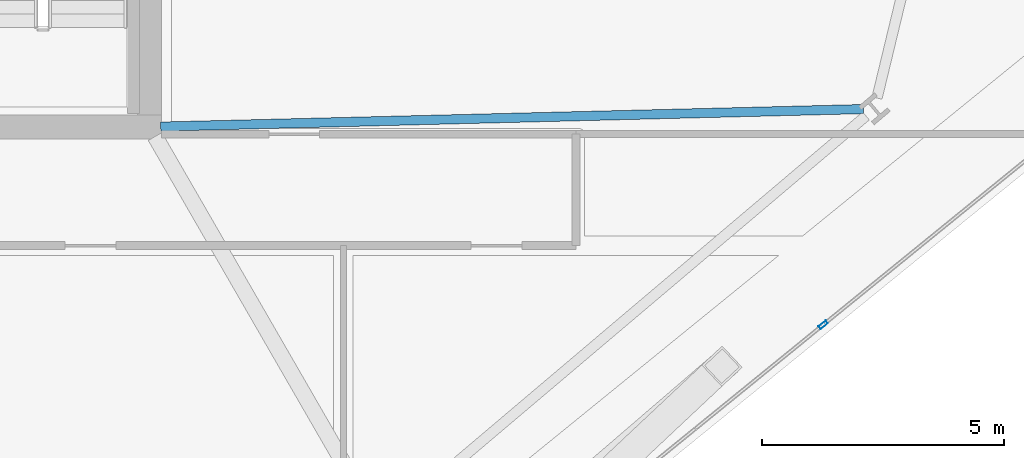
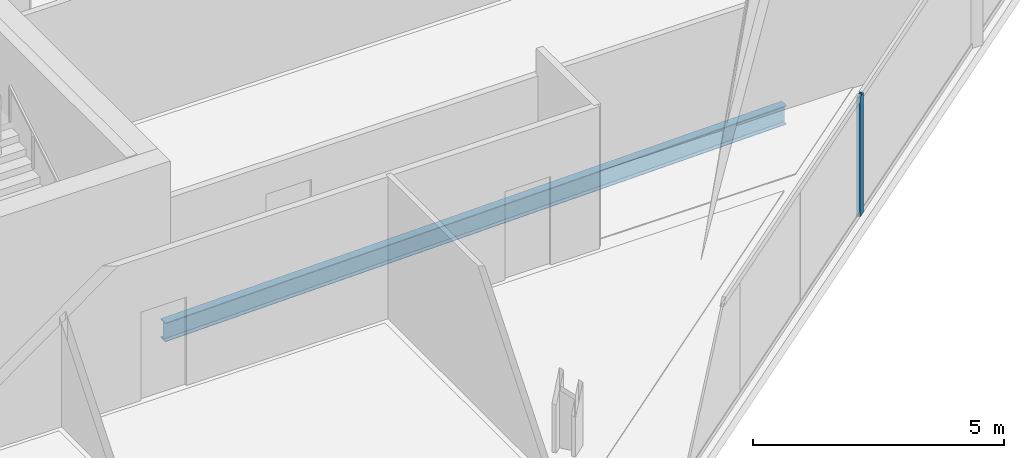
# One storey, part 10 of 36: 1 beam, 1 member, 1 element without a shape of its own.
"""IFC4 building model written with IfcOpenShell, lengths in metres."""

from ifc_helpers import new_model, si_unit, direction, frame, origin, origin_2d, place, context, subcontext, project, spatial, hollow_rectangle, i_section, extrude, material, material_profile, profile_set, type_object, element, aggregate, save


model = new_model("IFC4")

# Units and contexts
model_context = context("Model", 3, precision=1e-05, world=origin(), true_north=direction((0.0, 1.0)))
body_context = subcontext(model_context, "Body", "Model", "MODEL_VIEW")
ifc_project = project(units=[si_unit("LENGTHUNIT", "METRE"), si_unit("AREAUNIT", "SQUARE_METRE"), si_unit("VOLUMEUNIT", "CUBIC_METRE"), si_unit("PLANEANGLEUNIT", "RADIAN"), si_unit("MASSUNIT", "GRAM", prefix="KILO")], contexts=[model_context])

# Site, building, storey
site_placement = place(None, origin())
site = spatial("IfcSite", under=ifc_project, at=site_placement, CompositionType="ELEMENT")
building_placement = place(site_placement, origin())
building = spatial("IfcBuilding", under=site, at=building_placement, Name="Haldenkirk Collegiate Tower", CompositionType="ELEMENT")
storey_placement = place(building_placement, frame((0.0, 0.0, 159.449951171875)))
storey = spatial("IfcBuildingStorey", under=building, at=storey_placement, Name="L39", CompositionType="ELEMENT", Elevation=159.449951171875)

# Beam
ifc_material_1 = material(Name="Steel ASTM A992 Grade 50", Category="steel")
ifc_material_profile_1 = material_profile(ifc_material_1, i_section(OverallWidth=0.18994140625, OverallDepth=0.45703125, WebThickness=0.009033203125, FlangeThickness=0.014404296875, at=origin_2d()), Name="W18X50")
ifc_profile_set_1 = profile_set([ifc_material_profile_1], Name="Steel ASTM A992 Grade 50")
beam_type = type_object("IfcBeamType", Name="BM-JOIST-W18X50", PredefinedType="JOIST", material=ifc_profile_set_1)
beam_placement = place(storey_placement, frame((59.727294921875, 18.3671875, -0.5185546875), z_axis=(-0.999689127321, -0.024932884215, 0.0), x_axis=(0.024932884215, -0.999689127321, 0.0)))
element("IfcBeam", 1, at=beam_placement, inside=storey, type_object=beam_type, Name="L39 composite floor joist 07", PredefinedType="JOIST", context=body_context, shape_type="SweptSolid", body=[
    extrude(i_section(OverallWidth=0.18994140625, OverallDepth=0.45703125, WebThickness=0.009033203125, FlangeThickness=0.014404296875, at=origin_2d()), origin(), (0.0, 0.0, 1.0), 14.501708984375),
])

# Curtain wall, member
ifc_material_2 = material(Name="Anodised architectural bronze aluminium", Category="aluminium")
curtain_wall_type = type_object("IfcCurtainWallType", Name="CW-SYS2-CONCAVE", PredefinedType="USERDEFINED", material=ifc_material_2)
curtain_wall_placement = place(storey_placement, origin())
curtain_wall = element("IfcCurtainWall", 2, at=curtain_wall_placement, inside=storey, type_object=curtain_wall_type, Name="L39 South concave recessed bronze-anodised curtain wall", ObjectType="UNITISED CURTAIN WALL", PredefinedType="USERDEFINED")
ifc_material_profile_2 = material_profile(ifc_material_2, hollow_rectangle(XDim=0.074951171875, YDim=0.18994140625, WallThickness=0.0048828125, at=origin_2d()), Name="CW-MUL-02")
ifc_profile_set_2 = profile_set([ifc_material_profile_2], Name="Anodised architectural bronze aluminium")
member_type = type_object("IfcMemberType", Name="CW-MUL-02", PredefinedType="MULLION", material=ifc_profile_set_2)
member_placement = place(storey_placement, frame((58.899658203125, 13.916015625, 0.0), z_axis=(0.0, 0.0, 1.0), x_axis=(0.630673850131, -0.776047997717, 0.0)))
member = element("IfcMember", 3, at=member_placement, type_object=member_type, Name="CW-02 mullion 2", PredefinedType="MULLION", context=body_context, shape_type="SweptSolid", body=[
    extrude(hollow_rectangle(XDim=0.074951171875, YDim=0.18994140625, WallThickness=0.0048828125, at=origin_2d()), origin(), (0.0, 0.0, 1.0), 2.9111328125),
])
aggregate(curtain_wall, [member])

save(model, "model.ifc")
